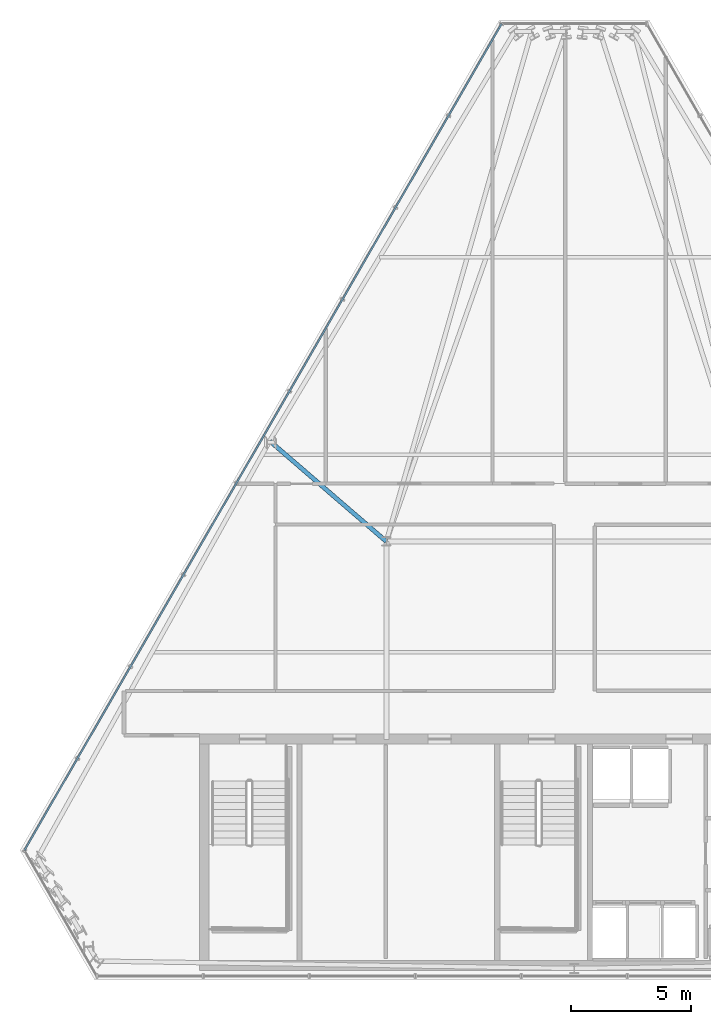
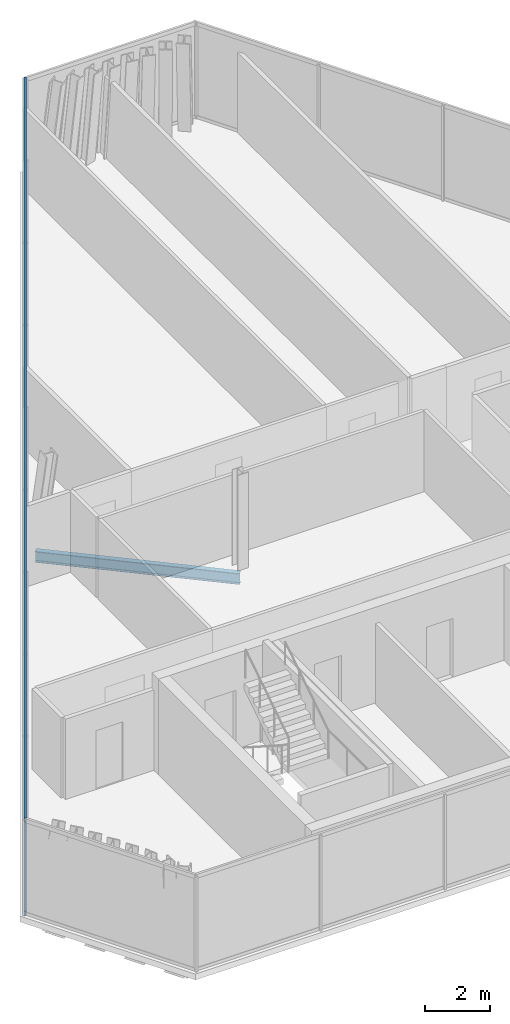
# One storey, part 12 of 32: 2 members, 1 beam, 1 element without a shape of its own.
"""IFC4 building model written with IfcOpenShell, lengths in metres."""

from ifc_helpers import new_model, si_unit, direction, frame, origin, origin_2d, place, context, subcontext, project, spatial, hollow_rectangle, i_section, extrude, material, layer, layer_set, material_profile, profile_set, type_object, element, aggregate, save


model = new_model("IFC4")

# Units and contexts
model_context = context("Model", 3, precision=1e-05, world=origin(), true_north=direction((0.0, 1.0)))
body_context = subcontext(model_context, "Body", "Model", "MODEL_VIEW")
ifc_project = project(units=[si_unit("LENGTHUNIT", "METRE"), si_unit("AREAUNIT", "SQUARE_METRE"), si_unit("VOLUMEUNIT", "CUBIC_METRE"), si_unit("PLANEANGLEUNIT", "RADIAN"), si_unit("MASSUNIT", "GRAM", prefix="KILO")], contexts=[model_context])

# Site, building, storey
site_placement = place(None, origin())
site = spatial("IfcSite", under=ifc_project, at=site_placement, CompositionType="ELEMENT")
building_placement = place(site_placement, origin())
building = spatial("IfcBuilding", under=site, at=building_placement, Name="Ndaravel Arena Tower", CompositionType="ELEMENT")
storey_placement = place(building_placement, frame((0.0, 0.0, 259.800048828125)))
storey = spatial("IfcBuildingStorey", under=building, at=storey_placement, Name="L63", CompositionType="ELEMENT", Elevation=259.800048828125)

# Beam
ifc_material_1 = material(Name="Steel S355", Category="steel")
ifc_material_profile_1 = material_profile(ifc_material_1, i_section(OverallWidth=0.1787109375, OverallDepth=0.409423828125, WebThickness=0.0087890625, FlangeThickness=0.014404296875, FilletRadius=0.01025390625, at=origin_2d()), Name="UB 406x178x67")
ifc_profile_set_1 = profile_set([ifc_material_profile_1], Name="Steel S355")
beam_type = type_object("IfcBeamType", Name="BM-GIRD-UB406", PredefinedType="BEAM", material=ifc_profile_set_1)
beam_placement = place(storey_placement, frame((29.362060546875, 27.36962890625, -0.4248046875), z_axis=(0.757481011077, -0.652857195609, 0.0), x_axis=(0.652857195609, 0.757481011077, 0.0)))
element("IfcBeam", 1, at=beam_placement, inside=storey, type_object=beam_type, Name="L63 Radial Floor Girder FG-19", PredefinedType="BEAM", context=body_context, shape_type="SweptSolid", body=[
    extrude(i_section(OverallWidth=0.1787109375, OverallDepth=0.409423828125, WebThickness=0.0087890625, FlangeThickness=0.014404296875, FilletRadius=0.01025390625, at=origin_2d()), origin(), (0.0, 0.0, 1.0), 6.38671875),
])

# Curtain wall, members
ifc_material_2 = material(Name="Aluminium", Category="aluminium")
ifc_layer = layer(ifc_material_2, 0.179931640625)
ifc_layer_set = layer_set([ifc_layer], Name="Aluminium")
curtain_wall_type = type_object("IfcCurtainWallType", Name="CW-SYS-03", PredefinedType="NOTDEFINED", material=ifc_layer_set)
curtain_wall_placement = place(storey_placement, origin())
curtain_wall = element("IfcCurtainWall", 2, at=curtain_wall_placement, inside=storey, type_object=curtain_wall_type, Name="L63 Faceted Crystal Curtain Wall CW-L63-E05", PredefinedType="NOTDEFINED")
ifc_material_3 = material(Name="Aluminium", Category="aluminium")
ifc_material_profile_2 = material_profile(ifc_material_3, hollow_rectangle(XDim=0.074951171875, YDim=0.14990234375, WallThickness=0.00390625, at=origin_2d()), Name="CW TRANSOM 75x150x4")
ifc_profile_set_2 = profile_set([ifc_material_profile_2], Name="Aluminium")
member_type = type_object("IfcMemberType", Name="MEM-CW-TRN150", PredefinedType="USERDEFINED", material=ifc_profile_set_2)
member_1_placement = place(storey_placement, frame((38.986328125, 44.679443359375, 0.0400390625), z_axis=(-0.500002234536, -0.866024113671, 0.0), x_axis=(0.866024113671, -0.500002234536, 0.0)))
member_1 = element("IfcMember", 3, at=member_1_placement, type_object=member_type, Name="CW-L63-E05 Transom 01", ObjectType="TRANSOM", PredefinedType="USERDEFINED", context=body_context, shape_type="SweptSolid", body=[
    extrude(hollow_rectangle(XDim=0.074951171875, YDim=0.14990234375, WallThickness=0.00390625, at=origin_2d()), origin(), (0.0, 0.0, 1.0), 39.605712890625),
])
member_2_placement = place(storey_placement, frame((38.986328125, 44.679443359375, 3.5400390625), z_axis=(-0.500002234536, -0.866024113671, 0.0), x_axis=(0.866024113671, -0.500002234536, 0.0)))
member_2 = element("IfcMember", 4, at=member_2_placement, type_object=member_type, Name="CW-L63-E05 Transom 02", ObjectType="TRANSOM", PredefinedType="USERDEFINED", context=body_context, shape_type="SweptSolid", body=[
    extrude(hollow_rectangle(XDim=0.074951171875, YDim=0.14990234375, WallThickness=0.00390625, at=origin_2d()), origin(), (0.0, 0.0, 1.0), 39.605712890625),
])
aggregate(curtain_wall, [member_1, member_2])

save(model, "model.ifc")
